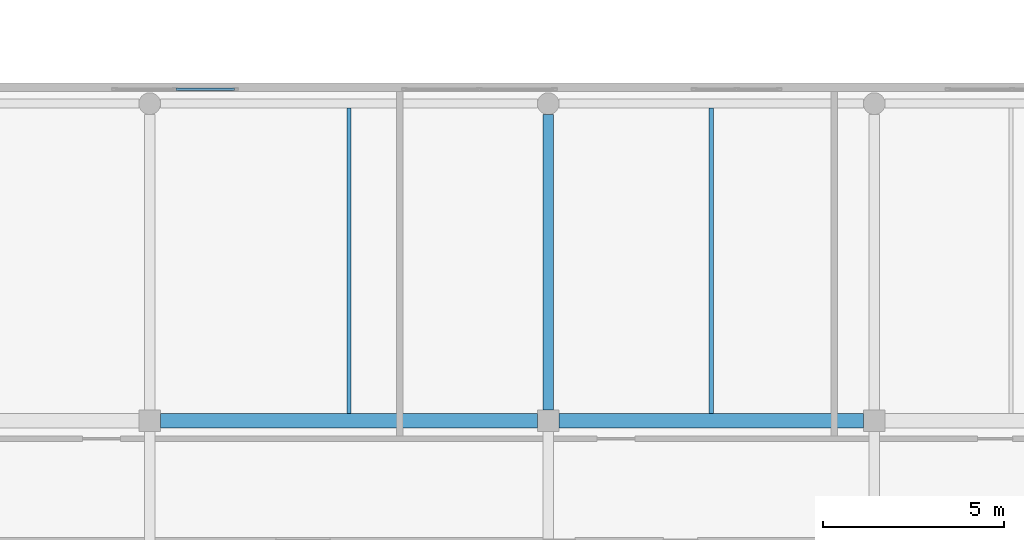
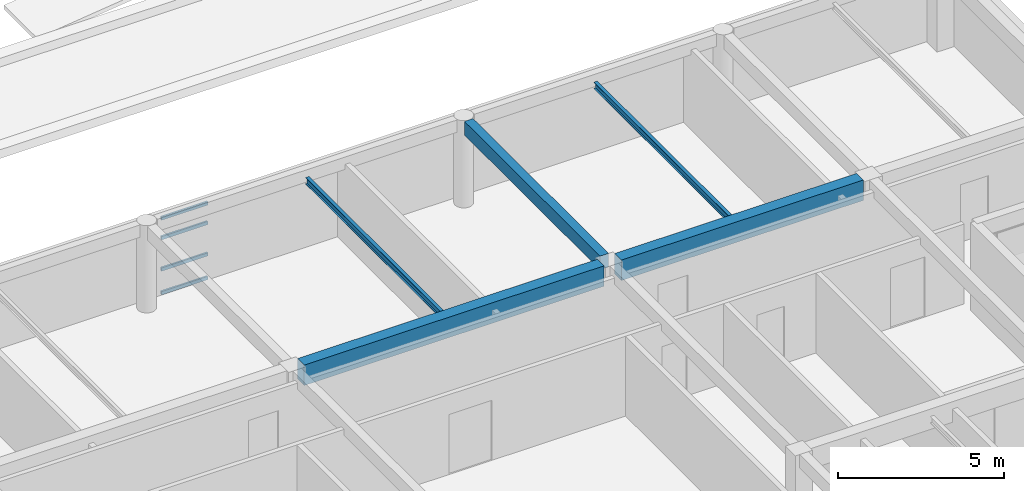
# One storey, part 59 of 128: 5 beams, 4 members, 1 element without a shape of its own.
"""IFC4 building model written with IfcOpenShell, lengths in metres."""

import ifcopenshell
import ifcopenshell.guid

model = None  # the IFC model being written
_history = None  # IfcOwnerHistory: only IFC2X3 demands one
_inside = {}  # id of a spatial element -> (the spatial element, [elements in it])
_under = {}  # id of a project, library or spatial element -> (it, [spatial elements below it])
_declared = {}  # id of a project -> (the project, [libraries it declares])
_typed = {}  # id of a type object -> (the type object, [elements of that type])
_made_of = {}  # id of a material, layer set ... -> (it, [elements and type objects made of it])


def new_model(schema):
    """Start an empty IFC model of exactly this schema.

    Asked for "IFC4X3", IfcOpenShell would pick the latest addendum, in which some entities
    have other attributes; the version numbers below select the first issue.
    IFC2X3 requires an IfcOwnerHistory on every rooted entity: one is made here for all.
    """
    global model, _history
    if schema == "IFC4X3":
        model = ifcopenshell.file(schema_version=(4, 3, 0, 0))
    else:
        model = ifcopenshell.file(schema=schema)
    _inside.clear()
    _under.clear()
    _declared.clear()
    _typed.clear()
    _made_of.clear()
    _history = None
    if model.schema == "IFC2X3":
        org = make("IfcOrganization", Name="unknown")
        user = make(
            "IfcPersonAndOrganization",
            ThePerson=make("IfcPerson", FamilyName="unknown"),
            TheOrganization=org,
        )
        app = make(
            "IfcApplication",
            ApplicationDeveloper=org,
            Version="unknown",
            ApplicationFullName="unknown",
            ApplicationIdentifier="unknown",
        )
        _history = make(
            "IfcOwnerHistory",
            OwningUser=user,
            OwningApplication=app,
            ChangeAction="ADDED",
            CreationDate=0,
        )
    return model


def make(cls, **values):
    """One entity of the class cls with the attributes given. An attribute that is None is left unset."""
    return model.create_entity(
        cls, **{name: value for name, value in values.items() if value is not None}
    )


def rooted(cls, **values):
    """An entity with a GlobalId (a new one), such as an element, a storey or a relation."""
    return make(cls, GlobalId=ifcopenshell.guid.new(), OwnerHistory=_history, **values)


def si_unit(unit_type, name, prefix=None):
    """IfcSIUnit, for example si_unit("LENGTHUNIT", "METRE", prefix="MILLI")."""
    return make("IfcSIUnit", UnitType=unit_type, Prefix=prefix, Name=name)


def assignment(units):
    """IfcUnitAssignment: the units of a project."""
    return None if units is None else make("IfcUnitAssignment", Units=units)


def point(xyz):
    """IfcCartesianPoint."""
    return None if xyz is None else make("IfcCartesianPoint", Coordinates=xyz)


def direction(xyz):
    """IfcDirection."""
    return None if xyz is None else make("IfcDirection", DirectionRatios=xyz)


def frame(location, z_axis=None, x_axis=None):
    """IfcAxis2Placement3D, a coordinate frame: its origin and axes. An axis left out is left unset."""
    return make(
        "IfcAxis2Placement3D",
        Location=point(location),
        Axis=direction(z_axis),
        RefDirection=direction(x_axis),
    )


def frame_2d(location, x_axis=None):
    """IfcAxis2Placement2D, a coordinate frame in the plane: its origin and x axis."""
    return make(
        "IfcAxis2Placement2D", Location=point(location), RefDirection=direction(x_axis)
    )


def origin():
    """The frame at (0, 0, 0) with its axes left unset."""
    return frame((0.0, 0.0, 0.0))


def origin_2d():
    """The frame at (0, 0) in the plane with its x axis left unset."""
    return frame_2d((0.0, 0.0))


def place(relative_to, where):
    """IfcLocalPlacement: puts the frame where relative to a parent placement (None: the world)."""
    return make(
        "IfcLocalPlacement", PlacementRelTo=relative_to, RelativePlacement=where
    )


def context(
    kind, dimensions, precision=None, world=None, true_north=None, identifier=None
):
    """IfcGeometricRepresentationContext, for example the 3D "Model" context."""
    return make(
        "IfcGeometricRepresentationContext",
        ContextIdentifier=identifier,
        ContextType=kind,
        CoordinateSpaceDimension=dimensions,
        Precision=precision,
        WorldCoordinateSystem=world,
        TrueNorth=true_north,
    )


def subcontext(parent, identifier, kind, view, scale=None):
    """IfcGeometricRepresentationSubContext, for example "Body" below "Model"."""
    return make(
        "IfcGeometricRepresentationSubContext",
        ContextIdentifier=identifier,
        ContextType=kind,
        ParentContext=parent,
        TargetScale=scale,
        TargetView=view,
    )


def project(units=None, contexts=None):
    """IfcProject with its units and contexts."""
    return rooted(
        "IfcProject",
        Name="project",
        RepresentationContexts=contexts,
        UnitsInContext=assignment(units),
    )


def spatial(cls, under=None, at=None, **own):
    """A site, building, storey or space (cls), placed at a placement, below another one or the project."""
    s = rooted(cls, ObjectPlacement=at, **own)
    if under is not None:
        _under.setdefault(under.id(), (under, []))[1].append(s)
    return s


def profile(cls, at=None, kind="AREA", **sizes):
    """A parametric profile (cls). Its sizes go by their IFC names, for example OverallWidth=200.0."""
    return make(cls, ProfileType=kind, Position=at, **sizes)


def rectangle(**sizes):
    """IfcRectangleProfileDef."""
    return profile("IfcRectangleProfileDef", **sizes)


def hollow_rectangle(**sizes):
    """IfcRectangleHollowProfileDef."""
    return profile("IfcRectangleHollowProfileDef", **sizes)


def i_section(**sizes):
    """IfcIShapeProfileDef."""
    return profile("IfcIShapeProfileDef", **sizes)


def extrude(swept, where, along, depth):
    """IfcExtrudedAreaSolid: the profile swept, set in the frame where, extruded along a direction by depth."""
    return make(
        "IfcExtrudedAreaSolid",
        SweptArea=swept,
        Position=where,
        ExtrudedDirection=direction(along),
        Depth=depth,
    )


def shape(context_of_items, identifier, shape_type, items):
    """IfcShapeRepresentation: the items that make up one representation, for example the "Body"."""
    return make(
        "IfcShapeRepresentation",
        ContextOfItems=context_of_items,
        RepresentationIdentifier=identifier,
        RepresentationType=shape_type,
        Items=items,
    )


def material(Name=None, Category=None):
    """IfcMaterial."""
    return make("IfcMaterial", Name=Name, Category=Category)


def layer(
    of_material, thickness, ventilated=None, Name=None, Category=None, Priority=None
):
    """IfcMaterialLayer: one layer of a wall or slab, of a material (None: an air gap)."""
    return make(
        "IfcMaterialLayer",
        Material=of_material,
        LayerThickness=thickness,
        IsVentilated=ventilated,
        Name=Name,
        Category=Category,
        Priority=Priority,
    )


def layer_set(layers, Name=None):
    """IfcMaterialLayerSet."""
    return make("IfcMaterialLayerSet", MaterialLayers=layers, LayerSetName=Name)


def material_profile(
    of_material, cross_section, Name=None, Category=None, Priority=None
):
    """IfcMaterialProfile: a cross section and its material."""
    return make(
        "IfcMaterialProfile",
        Name=Name,
        Material=of_material,
        Profile=cross_section,
        Priority=Priority,
        Category=Category,
    )


def profile_set(profiles, Name=None, composite=None):
    """IfcMaterialProfileSet."""
    return make(
        "IfcMaterialProfileSet",
        Name=Name,
        MaterialProfiles=profiles,
        CompositeProfile=composite,
    )


def made_of(thing, what):
    """Note that an element or type object is made of a material, layer set ...; save() writes the relation."""
    if what is not None:
        _made_of.setdefault(what.id(), (what, []))[1].append(thing)
    return thing


def type_object(cls, material=None, **own):
    """A type object (cls), such as IfcWallType, which elements share."""
    return made_of(rooted(cls, **own), material)


def element(
    cls,
    number,
    at=None,
    inside=None,
    cuts=None,
    type_object=None,
    material=None,
    context=None,
    identifier="Body",
    shape_type=None,
    held_by="IfcProductDefinitionShape",
    body=None,
    shapes=None,
    **own,
):
    """One element of the class cls, such as IfcWall. Its Tag is "e" and its number.

    at: its placement. inside: the storey or other place that contains it. cuts: it is an
    opening in that element (IfcRelVoidsElement). A single representation is given by context,
    identifier, shape_type and body (its items); several are given by shapes. held_by: the class
    of the entity that holds the representations. save() writes the other relations.
    """
    e = rooted(cls, Tag="e%d" % number, ObjectPlacement=at, **own)
    if body is not None:
        shapes = [shape(context, identifier, shape_type, body)]
    if shapes is not None:
        e.Representation = make(held_by, Representations=shapes)
    if inside is not None:
        _inside.setdefault(inside.id(), (inside, []))[1].append(e)
    if cuts is not None:
        rooted(
            "IfcRelVoidsElement", RelatingBuildingElement=cuts, RelatedOpeningElement=e
        )
    if type_object is not None:
        _typed.setdefault(type_object.id(), (type_object, []))[1].append(e)
    return made_of(e, material)


def aggregate(whole, parts):
    """IfcRelAggregates: a whole, such as a stair, and the parts it consists of."""
    return rooted("IfcRelAggregates", RelatingObject=whole, RelatedObjects=parts)


def save(model, path):
    """Write the relations noted so far, then the file.

    IfcRelAggregates (storeys below a building ...), IfcRelContainedInSpatialStructure (elements
    in a storey), IfcRelDefinesByType, IfcRelAssociatesMaterial and IfcRelDeclares: one each for
    every whole, place, type object, material and project.
    """
    for whole, parts in _under.values():
        aggregate(whole, parts)
    for where, things in _inside.values():
        rooted(
            "IfcRelContainedInSpatialStructure",
            RelatedElements=things,
            RelatingStructure=where,
        )
    for kind, things in _typed.values():
        rooted("IfcRelDefinesByType", RelatedObjects=things, RelatingType=kind)
    for what, things in _made_of.values():
        rooted("IfcRelAssociatesMaterial", RelatedObjects=things, RelatingMaterial=what)
    for by, libraries in _declared.values():
        rooted("IfcRelDeclares", RelatingContext=by, RelatedDefinitions=libraries)
    model.write(path)


model = new_model("IFC4")

# Units and contexts
model_context = context("Model", 3, precision=1e-05, world=origin(), true_north=direction((0.0, 1.0)))
body_context = subcontext(model_context, "Body", "Model", "MODEL_VIEW")
ifc_project = project(units=[si_unit("LENGTHUNIT", "METRE"), si_unit("AREAUNIT", "SQUARE_METRE"), si_unit("VOLUMEUNIT", "CUBIC_METRE"), si_unit("PLANEANGLEUNIT", "RADIAN"), si_unit("MASSUNIT", "GRAM", prefix="KILO")], contexts=[model_context])

# Site, building, storey
site_placement = place(None, origin())
site = spatial("IfcSite", under=ifc_project, at=site_placement, CompositionType="ELEMENT")
building_placement = place(site_placement, origin())
building = spatial("IfcBuilding", under=site, at=building_placement, Name="Keldmere Railside Commons", CompositionType="ELEMENT")
storey_placement = place(building_placement, frame((0.0, 0.0, 4.159912109375)))
storey = spatial("IfcBuildingStorey", under=building, at=storey_placement, Name="L01", CompositionType="ELEMENT", Elevation=4.159912109375)

# Beams
ifc_material_1 = material(Name="Concrete H-35 (C35/45)", Category="concrete")
ifc_material_profile_1 = material_profile(ifc_material_1, rectangle(XDim=0.39990234375, YDim=0.75, at=origin_2d()), Name="RC-400x750")
ifc_profile_set_1 = profile_set([ifc_material_profile_1], Name="Concrete H-35 (C35/45)")
beam_type_1 = type_object("IfcBeamType", Name="Civic Frame RC Girder 400x750", PredefinedType="BEAM", material=ifc_profile_set_1)
beam_1_placement = place(storey_placement, frame((148.300048828125, 30.800048828125, 2.8251953125), z_axis=(1.0, 0.0, 0.0), x_axis=(0.0, 1.0, 0.0)))
element("IfcBeam", 1, at=beam_1_placement, inside=storey, type_object=beam_type_1, Name="BG-2 BM-L01-0763", PredefinedType="BEAM", context=body_context, shape_type="SweptSolid", body=[
    extrude(rectangle(XDim=0.39990234375, YDim=0.75, at=origin_2d()), origin(), (0.0, 0.0, 1.0), 10.39990234375),
])
beam_2_placement = place(storey_placement, frame((159.300048828125, 30.800048828125, 2.8251953125), z_axis=(1.0, 0.0, 0.0), x_axis=(0.0, 1.0, 0.0)))
element("IfcBeam", 2, at=beam_2_placement, inside=storey, type_object=beam_type_1, Name="BG-2 BM-L01-0764", PredefinedType="BEAM", context=body_context, shape_type="SweptSolid", body=[
    extrude(rectangle(XDim=0.39990234375, YDim=0.75, at=origin_2d()), origin(), (0.0, 0.0, 1.0), 8.39990234375),
])
ifc_material_2 = material(Name="Steel F-36 (S355)", Category="steel")
ifc_material_profile_2 = material_profile(ifc_material_2, i_section(OverallWidth=0.1201171875, OverallDepth=0.239990234375, WebThickness=0.006103515625, FlangeThickness=0.009765625, at=origin_2d()), Name="IPE-240")
ifc_profile_set_2 = profile_set([ifc_material_profile_2], Name="Steel F-36 (S355)")
beam_type_2 = type_object("IfcBeamType", Name="Nursery & Mezzanine Steel Joist IPE240", PredefinedType="JOIST", material=ifc_profile_set_2)
for number, where, z_axis, x_axis, name in (
    (3, (153.5, 31.0, 2.81005859375), (0.0, 1.0, 0.0), (-1.0, 0.0, 0.0), "JST-2 BM-L01-0993"),
    (4, (163.5, 31.0, 2.81005859375), (0.0, 1.0, 0.0), (-1.0, 0.0, 0.0), "JST-2 BM-L01-0994"),
):
    element("IfcBeam", number, at=place(storey_placement, frame(where, z_axis=z_axis, x_axis=x_axis)), inside=storey, type_object=beam_type_2, Name=name, PredefinedType="JOIST", context=body_context, shape_type="SweptSolid", body=[
        extrude(i_section(OverallWidth=0.1201171875, OverallDepth=0.239990234375, WebThickness=0.006103515625, FlangeThickness=0.009765625, at=origin_2d()), origin(), (0.0, 0.0, 1.0), 8.425048828125),
    ])
ifc_material_3 = material(Name="Concrete H-30 (C30/37)", Category="concrete")
ifc_material_profile_3 = material_profile(ifc_material_3, rectangle(XDim=0.300048828125, YDim=0.5, at=origin_2d()), Name="RC-300x500")
ifc_profile_set_3 = profile_set([ifc_material_profile_3], Name="Concrete H-30 (C30/37)")
beam_type_3 = type_object("IfcBeamType", Name="Secondary Frame RC Beam 300x500", PredefinedType="BEAM", material=ifc_profile_set_3)
beam_3_placement = place(storey_placement, frame((159.0, 31.10009765625, 2.9501953125), z_axis=(0.0, 1.0, 0.0), x_axis=(-1.0, 0.0, 0.0)))
element("IfcBeam", 5, at=beam_3_placement, inside=storey, type_object=beam_type_3, Name="BG-5 BM-L01-0952", PredefinedType="BEAM", context=body_context, shape_type="SweptSolid", body=[
    extrude(rectangle(XDim=0.300048828125, YDim=0.5, at=origin_2d()), origin(), (0.0, 0.0, 1.0), 8.14990234375),
])

# Curtain wall, members
ifc_material_4 = material(Name="Thermally Broken Aluminium", Category="aluminium")
ifc_layer = layer(ifc_material_4, 0.159912109375, Name="Sky-Terrace Lounge CW 3400x2850")
ifc_layer_set = layer_set([ifc_layer], Name="Thermally Broken Aluminium")
curtain_wall_type = type_object("IfcCurtainWallType", Name="Sky-Terrace Lounge CW 3400x2850", PredefinedType="NOTDEFINED", material=ifc_layer_set)
curtain_wall_placement = place(storey_placement, origin())
curtain_wall = element("IfcCurtainWall", 6, at=curtain_wall_placement, inside=storey, type_object=curtain_wall_type, Name="CW-14 CW-L01-220", PredefinedType="NOTDEFINED")
ifc_material_profile_4 = material_profile(ifc_material_4, hollow_rectangle(XDim=0.06494140625, YDim=0.1201171875, WallThickness=0.00390625, at=origin_2d()), Name="ALU-TRAN-65x120")
ifc_profile_set_4 = profile_set([ifc_material_profile_4], Name="Thermally Broken Aluminium")
member_type = type_object("IfcMemberType", Name="Unitised Curtain Wall Transom 65x120", PredefinedType="USERDEFINED", material=ifc_profile_set_4)
member_1_placement = place(storey_placement, frame((148.732421875, 39.949951171875, 0.032470703125), z_axis=(1.0, 0.0, 0.0), x_axis=(0.0, 1.0, 0.0)))
member_1 = element("IfcMember", 7, at=member_1_placement, type_object=member_type, Name="CW-14 transom 2.1", ObjectType="TRANSOM", PredefinedType="USERDEFINED", context=body_context, shape_type="SweptSolid", body=[
    extrude(hollow_rectangle(XDim=0.06494140625, YDim=0.1201171875, WallThickness=0.00390625, at=origin_2d()), origin(), (0.0, 0.0, 1.0), 1.6025390625),
])
member_2_placement = place(storey_placement, frame((148.732421875, 39.949951171875, 0.900146484375), z_axis=(1.0, 0.0, 0.0), x_axis=(0.0, 1.0, 0.0)))
member_2 = element("IfcMember", 8, at=member_2_placement, type_object=member_type, Name="CW-14 transom 2.2", ObjectType="TRANSOM", PredefinedType="USERDEFINED", context=body_context, shape_type="SweptSolid", body=[
    extrude(hollow_rectangle(XDim=0.06494140625, YDim=0.1201171875, WallThickness=0.00390625, at=origin_2d()), origin(), (0.0, 0.0, 1.0), 1.6025390625),
])
member_3_placement = place(storey_placement, frame((148.732421875, 39.949951171875, 2.050048828125), z_axis=(1.0, 0.0, 0.0), x_axis=(0.0, 1.0, 0.0)))
member_3 = element("IfcMember", 9, at=member_3_placement, type_object=member_type, Name="CW-14 transom 2.3", ObjectType="TRANSOM", PredefinedType="USERDEFINED", context=body_context, shape_type="SweptSolid", body=[
    extrude(hollow_rectangle(XDim=0.06494140625, YDim=0.1201171875, WallThickness=0.00390625, at=origin_2d()), origin(), (0.0, 0.0, 1.0), 1.6025390625),
])
member_4_placement = place(storey_placement, frame((148.732421875, 39.949951171875, 2.767578125), z_axis=(1.0, 0.0, 0.0), x_axis=(0.0, 1.0, 0.0)))
member_4 = element("IfcMember", 10, at=member_4_placement, type_object=member_type, Name="CW-14 transom 2.4", ObjectType="TRANSOM", PredefinedType="USERDEFINED", context=body_context, shape_type="SweptSolid", body=[
    extrude(hollow_rectangle(XDim=0.06494140625, YDim=0.1201171875, WallThickness=0.00390625, at=origin_2d()), origin(), (0.0, 0.0, 1.0), 1.6025390625),
])
aggregate(curtain_wall, [member_1, member_2, member_3, member_4])

save(model, "model.ifc")
